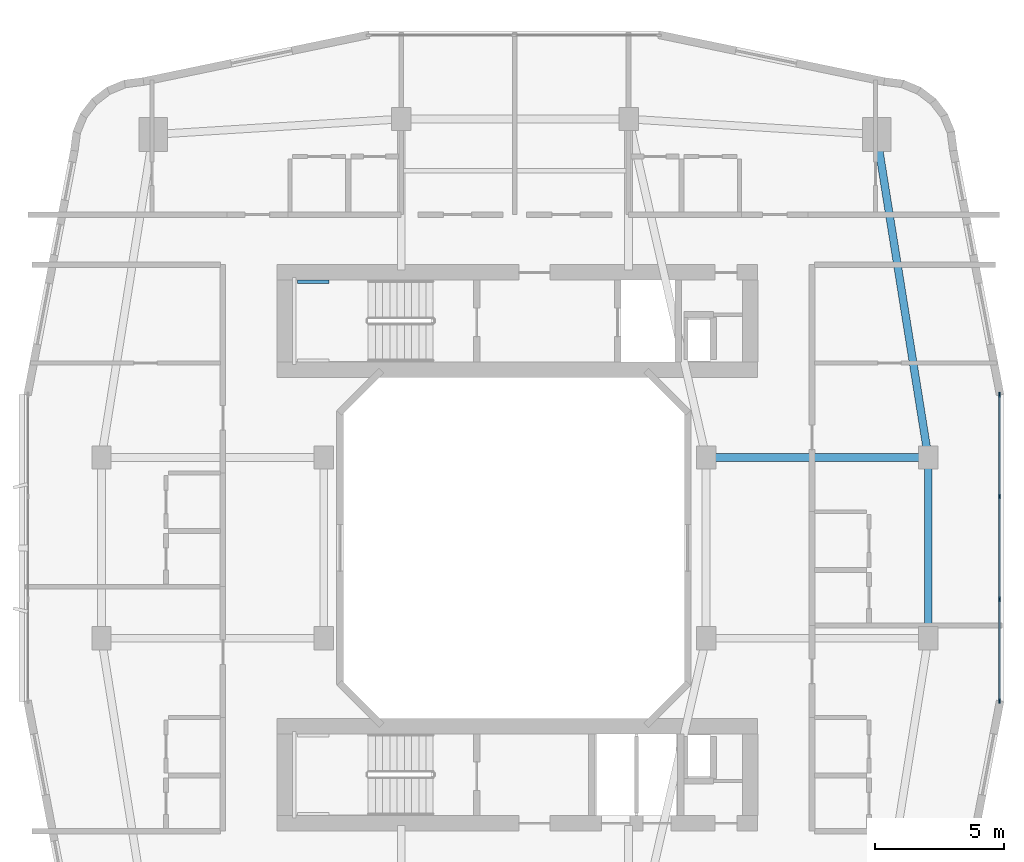
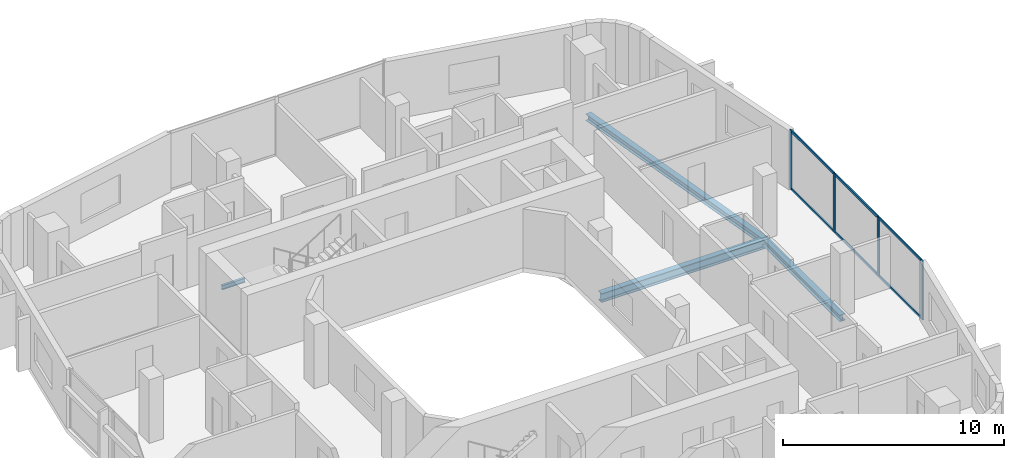
# One storey, part 10 of 27: 10 members, 4 beams, 1 element without a shape of its own.
"""IFC4 building model written with IfcOpenShell, lengths in metres."""

from ifc_helpers import new_model, si_unit, derived_unit, direction, frame, origin, origin_2d, place, context, subcontext, project, spatial, rectangle, i_section, extrude, material, layer, layer_set, material_profile, profile_set, type_object, element, aggregate, save


model = new_model("IFC4")

# Units and contexts
model_context = context("Model", 3, precision=1e-05, world=origin(), true_north=direction((0.0, 1.0)))
body_context = subcontext(model_context, "Body", "Model", "MODEL_VIEW")
ifc_project = project(units=[si_unit("LENGTHUNIT", "METRE"), si_unit("AREAUNIT", "SQUARE_METRE"), si_unit("VOLUMEUNIT", "CUBIC_METRE"), si_unit("PLANEANGLEUNIT", "RADIAN"), si_unit("MASSUNIT", "GRAM", prefix="KILO"), derived_unit("THERMALTRANSMITTANCEUNIT", [(si_unit("POWERUNIT", "WATT"), 1), (si_unit("LENGTHUNIT", "METRE"), -2), (si_unit("THERMODYNAMICTEMPERATUREUNIT", "KELVIN"), -1)])], contexts=[model_context])

# Site, building, storey
site_placement = place(None, origin())
site = spatial("IfcSite", under=ifc_project, at=site_placement, CompositionType="ELEMENT")
building_placement = place(site_placement, origin())
building = spatial("IfcBuilding", under=site, at=building_placement, Name="Kivonza Crest Hotel", CompositionType="ELEMENT")
storey_placement = place(building_placement, frame((0.0, 0.0, 38.0)))
storey = spatial("IfcBuildingStorey", under=building, at=storey_placement, Name="L09", CompositionType="ELEMENT", Elevation=38.0)

# Beams
ifc_material_1 = material(Name="Steel S355", Category="steel")
ifc_material_profile_1 = material_profile(ifc_material_1, i_section(OverallWidth=0.300048828125, OverallDepth=0.360107421875, WebThickness=0.012451171875, FlangeThickness=0.0224609375, FilletRadius=0.027099609375, at=origin_2d()), Name="HEB 360")
ifc_profile_set_1 = profile_set([ifc_material_profile_1], Name="Steel S355")
beam_type_1 = type_object("IfcBeamType", Name="BM-HEB360", PredefinedType="SPANDREL", material=ifc_profile_set_1)
beam_1_placement = place(storey_placement, frame((93.0, 21.5, -0.429931640625), z_axis=(0.0, 1.0, 0.0), x_axis=(-1.0, 0.0, 0.0)))
element("IfcBeam", 1, at=beam_1_placement, inside=storey, type_object=beam_type_1, Name="Companion Tower T2 L09 perimeter spandrel E1-E2", PredefinedType="SPANDREL", context=body_context, shape_type="SweptSolid", body=[
    extrude(i_section(OverallWidth=0.300048828125, OverallDepth=0.360107421875, WebThickness=0.012451171875, FlangeThickness=0.0224609375, FilletRadius=0.027099609375, at=origin_2d()), origin(), (0.0, 0.0, 1.0), 7.0),
])
beam_2_placement = place(storey_placement, frame((93.0, 28.5, -0.429931640625), z_axis=(-0.157990501107, 0.987440631917, 0.0), x_axis=(-0.987440631917, -0.157990501107, 0.0)))
element("IfcBeam", 2, at=beam_2_placement, inside=storey, type_object=beam_type_1, Name="Companion Tower T2 L09 perimeter spandrel E2-NE", PredefinedType="SPANDREL", context=body_context, shape_type="SweptSolid", body=[
    extrude(i_section(OverallWidth=0.300048828125, OverallDepth=0.360107421875, WebThickness=0.012451171875, FlangeThickness=0.0224609375, FilletRadius=0.027099609375, at=origin_2d()), origin(), (0.0, 0.0, 1.0), 12.658935546875),
])
ifc_material_profile_2 = material_profile(ifc_material_1, i_section(OverallWidth=0.300048828125, OverallDepth=0.5, WebThickness=0.014404296875, FlangeThickness=0.028076171875, FilletRadius=0.027099609375, at=origin_2d()), Name="HEB 500")
ifc_profile_set_2 = profile_set([ifc_material_profile_2], Name="Steel S355")
beam_type_2 = type_object("IfcBeamType", Name="BM-HEB500", PredefinedType="BEAM", material=ifc_profile_set_2)
beam_3_placement = place(storey_placement, frame((84.39990234375, 28.5, -0.5), z_axis=(1.0, 0.0, 0.0), x_axis=(0.0, 1.0, 0.0)))
element("IfcBeam", 3, at=beam_3_placement, inside=storey, type_object=beam_type_2, Name="Companion Tower T2 L09 girder WR2-E2", PredefinedType="BEAM", context=body_context, shape_type="SweptSolid", body=[
    extrude(i_section(OverallWidth=0.300048828125, OverallDepth=0.5, WebThickness=0.014404296875, FlangeThickness=0.028076171875, FilletRadius=0.027099609375, at=origin_2d()), origin(), (0.0, 0.0, 1.0), 8.60009765625),
])
ifc_material_profile_3 = material_profile(ifc_material_1, i_section(OverallWidth=0.1201171875, OverallDepth=0.239990234375, WebThickness=0.006103515625, FlangeThickness=0.009765625, FilletRadius=0.014892578125, at=origin_2d()), Name="IPE 240")
ifc_profile_set_3 = profile_set([ifc_material_profile_3], Name="Steel S355")
beam_type_3 = type_object("IfcBeamType", Name="BM-LLDG-240", PredefinedType="BEAM", material=ifc_profile_set_3)
beam_4_placement = place(storey_placement, frame((68.590087890625, 35.300048828125, 1.429931640625), z_axis=(1.0, 0.0, 0.0), x_axis=(0.0, 1.0, 0.0)))
element("IfcBeam", 4, at=beam_4_placement, inside=storey, type_object=beam_type_3, Name="Stair ST-T2-N L09 North landing corbel", PredefinedType="BEAM", context=body_context, shape_type="SweptSolid", body=[
    extrude(i_section(OverallWidth=0.1201171875, OverallDepth=0.239990234375, WebThickness=0.006103515625, FlangeThickness=0.009765625, FilletRadius=0.014892578125, at=origin_2d()), origin(), (0.0, 0.0, 1.0), 1.2099609375),
])

# Curtain wall, members
ifc_material_2 = material(Name="Anodised bronze aluminium and low-E double glazing", Category="aluminium")
ifc_layer = layer(ifc_material_2, 0.179931640625)
ifc_layer_set = layer_set([ifc_layer], Name="Anodised bronze aluminium and low-E double glazing")
curtain_wall_type = type_object("IfcCurtainWallType", Name="CW-SYS-4", PredefinedType="NOTDEFINED", material=ifc_layer_set)
curtain_wall_placement = place(storey_placement, origin())
curtain_wall = element("IfcCurtainWall", 5, at=curtain_wall_placement, inside=storey, type_object=curtain_wall_type, Name="L09 unitised curtain wall CW-T2-L09-17", PredefinedType="NOTDEFINED")
ifc_material_3 = material(Name="Anodised bronze aluminium", Category="aluminium")
ifc_material_profile_4 = material_profile(ifc_material_3, rectangle(XDim=0.06494140625, YDim=0.179931640625, at=origin_2d()), Name="CW-M 65x180")
ifc_profile_set_4 = profile_set([ifc_material_profile_4], Name="Anodised bronze aluminium")
member_type_1 = type_object("IfcMemberType", Name="CW-MUL-65x180", PredefinedType="MULLION", material=ifc_profile_set_4)
member_1_placement = place(storey_placement, frame((95.760009765625, 19.072509765625, 0.0), z_axis=(0.0, 0.0, 1.0), x_axis=(-1.0, 0.0, 0.0)))
member_1 = element("IfcMember", 6, at=member_1_placement, type_object=member_type_1, Name="CW-4 mullion 1", PredefinedType="MULLION", context=body_context, shape_type="SweptSolid", body=[
    extrude(rectangle(XDim=0.06494140625, YDim=0.179931640625, at=origin_2d()), origin(), (0.0, 0.0, 1.0), 3.25),
])
member_2_placement = place(storey_placement, frame((95.760009765625, 23.013427734375, 0.0), z_axis=(0.0, 0.0, 1.0), x_axis=(-1.0, 0.0, 0.0)))
member_2 = element("IfcMember", 7, at=member_2_placement, type_object=member_type_1, Name="CW-4 mullion 2", PredefinedType="MULLION", context=body_context, shape_type="SweptSolid", body=[
    extrude(rectangle(XDim=0.06494140625, YDim=0.179931640625, at=origin_2d()), origin(), (0.0, 0.0, 1.0), 3.25),
])
member_3_placement = place(storey_placement, frame((95.760009765625, 26.986572265625, 0.0), z_axis=(0.0, 0.0, 1.0), x_axis=(-1.0, 0.0, 0.0)))
member_3 = element("IfcMember", 8, at=member_3_placement, type_object=member_type_1, Name="CW-4 mullion 3", PredefinedType="MULLION", context=body_context, shape_type="SweptSolid", body=[
    extrude(rectangle(XDim=0.06494140625, YDim=0.179931640625, at=origin_2d()), origin(), (0.0, 0.0, 1.0), 3.25),
])
member_4_placement = place(storey_placement, frame((95.760009765625, 30.927490234375, 0.0), z_axis=(0.0, 0.0, 1.0), x_axis=(-1.0, 0.0, 0.0)))
member_4 = element("IfcMember", 9, at=member_4_placement, type_object=member_type_1, Name="CW-4 mullion 4", PredefinedType="MULLION", context=body_context, shape_type="SweptSolid", body=[
    extrude(rectangle(XDim=0.06494140625, YDim=0.179931640625, at=origin_2d()), origin(), (0.0, 0.0, 1.0), 3.25),
])
ifc_material_profile_5 = material_profile(ifc_material_3, rectangle(XDim=0.06494140625, YDim=0.139892578125, at=origin_2d()), Name="CW-T 65x140")
ifc_profile_set_5 = profile_set([ifc_material_profile_5], Name="Anodised bronze aluminium")
member_type_2 = type_object("IfcMemberType", Name="CW-TRN-65x140", PredefinedType="USERDEFINED", material=ifc_profile_set_5)
member_5_placement = place(storey_placement, frame((95.760009765625, 19.10498046875, 0.032470703125), z_axis=(0.0, 1.0, 0.0), x_axis=(-1.0, 0.0, 0.0)))
member_5 = element("IfcMember", 10, at=member_5_placement, type_object=member_type_2, Name="CW-4 transom 1.1", ObjectType="TRANSOM", PredefinedType="USERDEFINED", context=body_context, shape_type="SweptSolid", body=[
    extrude(rectangle(XDim=0.06494140625, YDim=0.139892578125, at=origin_2d()), origin(), (0.0, 0.0, 1.0), 3.875732421875),
])
member_6_placement = place(storey_placement, frame((95.760009765625, 19.10498046875, 3.217529296875), z_axis=(0.0, 1.0, 0.0), x_axis=(-1.0, 0.0, 0.0)))
member_6 = element("IfcMember", 11, at=member_6_placement, type_object=member_type_2, Name="CW-4 transom 1.2", ObjectType="TRANSOM", PredefinedType="USERDEFINED", context=body_context, shape_type="SweptSolid", body=[
    extrude(rectangle(XDim=0.06494140625, YDim=0.139892578125, at=origin_2d()), origin(), (0.0, 0.0, 1.0), 3.875732421875),
])
member_7_placement = place(storey_placement, frame((95.760009765625, 23.0458984375, 0.032470703125), z_axis=(0.0, 1.0, 0.0), x_axis=(-1.0, 0.0, 0.0)))
member_7 = element("IfcMember", 12, at=member_7_placement, type_object=member_type_2, Name="CW-4 transom 2.1", ObjectType="TRANSOM", PredefinedType="USERDEFINED", context=body_context, shape_type="SweptSolid", body=[
    extrude(rectangle(XDim=0.06494140625, YDim=0.139892578125, at=origin_2d()), origin(), (0.0, 0.0, 1.0), 3.908203125),
])
member_8_placement = place(storey_placement, frame((95.760009765625, 23.0458984375, 3.217529296875), z_axis=(0.0, 1.0, 0.0), x_axis=(-1.0, 0.0, 0.0)))
member_8 = element("IfcMember", 13, at=member_8_placement, type_object=member_type_2, Name="CW-4 transom 2.2", ObjectType="TRANSOM", PredefinedType="USERDEFINED", context=body_context, shape_type="SweptSolid", body=[
    extrude(rectangle(XDim=0.06494140625, YDim=0.139892578125, at=origin_2d()), origin(), (0.0, 0.0, 1.0), 3.908203125),
])
member_9_placement = place(storey_placement, frame((95.760009765625, 27.019287109375, 0.032470703125), z_axis=(0.0, 1.0, 0.0), x_axis=(-1.0, 0.0, 0.0)))
member_9 = element("IfcMember", 14, at=member_9_placement, type_object=member_type_2, Name="CW-4 transom 3.1", ObjectType="TRANSOM", PredefinedType="USERDEFINED", context=body_context, shape_type="SweptSolid", body=[
    extrude(rectangle(XDim=0.06494140625, YDim=0.139892578125, at=origin_2d()), origin(), (0.0, 0.0, 1.0), 3.875732421875),
])
member_10_placement = place(storey_placement, frame((95.760009765625, 27.019287109375, 3.217529296875), z_axis=(0.0, 1.0, 0.0), x_axis=(-1.0, 0.0, 0.0)))
member_10 = element("IfcMember", 15, at=member_10_placement, type_object=member_type_2, Name="CW-4 transom 3.2", ObjectType="TRANSOM", PredefinedType="USERDEFINED", context=body_context, shape_type="SweptSolid", body=[
    extrude(rectangle(XDim=0.06494140625, YDim=0.139892578125, at=origin_2d()), origin(), (0.0, 0.0, 1.0), 3.875732421875),
])
aggregate(curtain_wall, [member_1, member_2, member_3, member_4, member_5, member_6, member_7, member_8, member_9, member_10])

save(model, "model.ifc")
